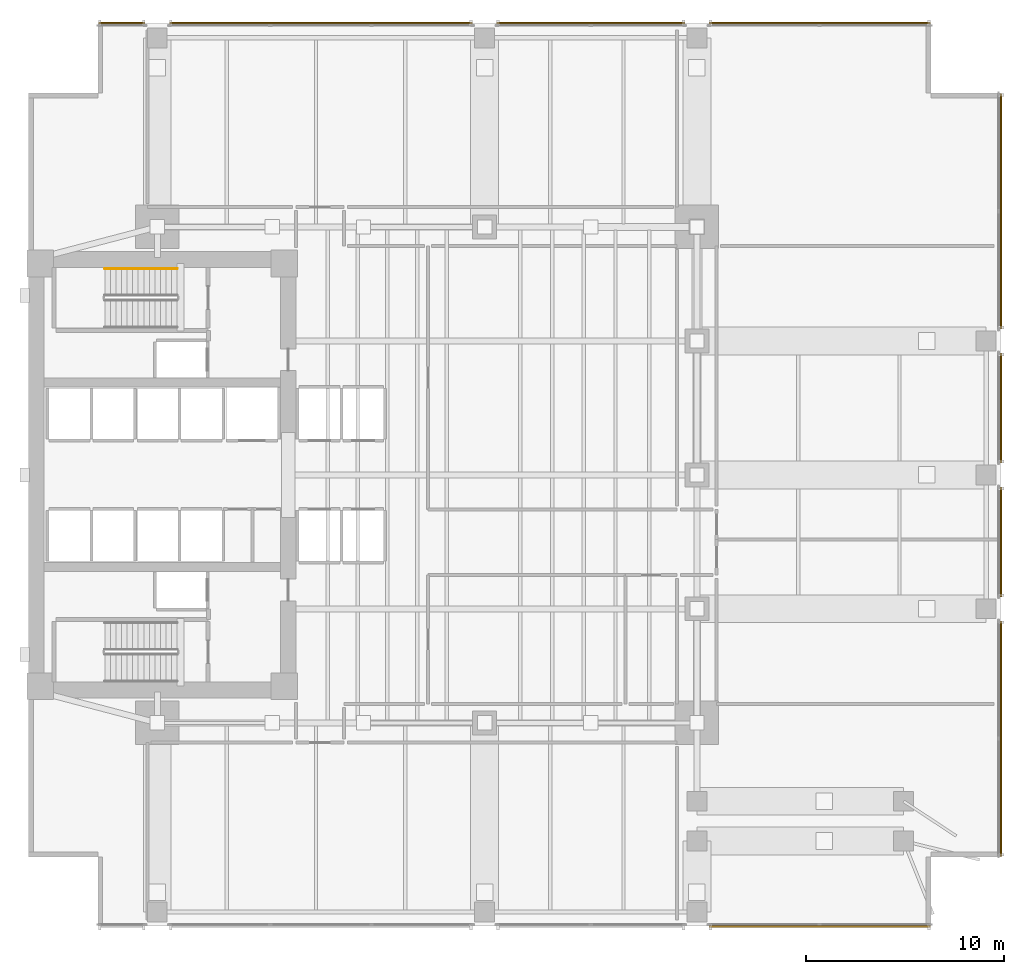
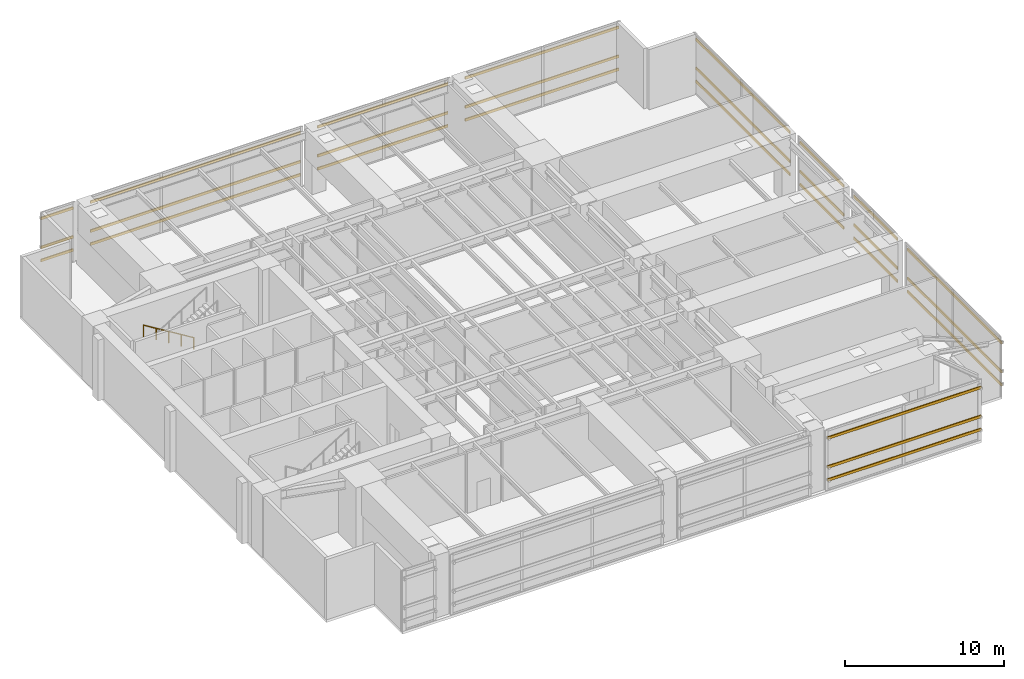
# One storey, part 14 of 14: 27 shading devices, 1 railing.
"""IFC4 building model written with IfcOpenShell, lengths in metres."""

from ifc_helpers import new_model, si_unit, direction, frame, origin, origin_2d, place, context, subcontext, project, spatial, rectangle, circle, extrude, material, material_profile, profile_set, type_object, element, save


model = new_model("IFC4")

# Units and contexts
model_context = context("Model", 3, precision=1e-05, world=origin(), true_north=direction((0.0, 1.0)))
body_context = subcontext(model_context, "Body", "Model", "MODEL_VIEW")
ifc_project = project(units=[si_unit("LENGTHUNIT", "METRE"), si_unit("AREAUNIT", "SQUARE_METRE"), si_unit("VOLUMEUNIT", "CUBIC_METRE"), si_unit("PLANEANGLEUNIT", "RADIAN"), si_unit("MASSUNIT", "GRAM", prefix="KILO")], contexts=[model_context])

# Site, building, storey
site_placement = place(None, origin())
site = spatial("IfcSite", under=ifc_project, at=site_placement, CompositionType="ELEMENT")
building_placement = place(site_placement, origin())
building = spatial("IfcBuilding", under=site, at=building_placement, Name="Kinhvarn Gate Tower", CompositionType="ELEMENT")
storey_placement = place(building_placement, frame((0.0, 0.0, 93.050048828125)))
storey = spatial("IfcBuildingStorey", under=building, at=storey_placement, Name="L24", CompositionType="ELEMENT", Elevation=93.050048828125)

# Railing
ifc_material_1 = material(Name="Steel S355", Category="steel")
railing_type = type_object("IfcRailingType", Name="RL-ST-HND", PredefinedType="HANDRAIL", material=ifc_material_1)
railing_placement = place(storey_placement, frame((12.0, 35.64990234375, 0.17138671875)))
element("IfcRailing", 1, at=railing_placement, inside=storey, type_object=railing_type, Name="L24 ST2 stair handrail 1", PredefinedType="HANDRAIL", context=body_context, shape_type="SweptSolid", body=[
    extrude(circle(Radius=0.02392578125, at=origin_2d()), frame((0.0, 0.0, 0.8759765625), z_axis=(-0.852850264322, 0.0, 0.5221555579), x_axis=(0.0, -1.0, 0.0)), (0.0, 0.0, 1.0), 4.267822265625),
    extrude(circle(Radius=0.02099609375, at=origin_2d()), origin(), (0.0, 0.0, 1.0), 0.851806640625),
    extrude(circle(Radius=0.02099609375, at=origin_2d()), frame((-0.909912109375, 0.0, 0.55712890625)), (0.0, 0.0, 1.0), 0.851806640625),
    extrude(circle(Radius=0.02099609375, at=origin_2d()), frame((-1.81982421875, 0.0, 1.1142578125)), (0.0, 0.0, 1.0), 0.851806640625),
    extrude(circle(Radius=0.02099609375, at=origin_2d()), frame((-2.72998046875, 0.0, 1.67138671875)), (0.0, 0.0, 1.0), 0.851806640625),
    extrude(circle(Radius=0.02099609375, at=origin_2d()), frame((-3.639892578125, 0.0, 2.228515625)), (0.0, 0.0, 1.0), 0.851806640625),
])

# Shading devices
ifc_material_2 = material(Name="Anodised aluminium AW-6063", Category="aluminium")
ifc_material_profile = material_profile(ifc_material_2, rectangle(XDim=0.074951171875, YDim=0.199951171875, at=origin_2d()), Name="LOUVRE 75x200")
ifc_profile_set = profile_set([ifc_material_profile], Name="Anodised aluminium AW-6063")
shading_device_type = type_object("IfcShadingDeviceType", Name="SHD-LVR-200", PredefinedType="JALOUSIE", material=ifc_profile_set)
for number, where, z_axis, x_axis, name in (
    (2, (38.820068359375, 2.4775390625, 0.849853515625), (1.0, 0.0, 0.0), (0.0, 1.0, 0.0), "Anodised Aluminium Acoustic Plant Louvre Blade 75x200 mm (L24)"),
    (3, (38.820068359375, 2.4775390625, 1.849853515625), (1.0, 0.0, 0.0), (0.0, 1.0, 0.0), "Anodised Aluminium Acoustic Plant Louvre Blade 75x200 mm (L24)"),
    (4, (38.820068359375, 2.4775390625, 4.070068359375), (1.0, 0.0, 0.0), (0.0, 1.0, 0.0), "Anodised Aluminium Acoustic Plant Louvre Blade 75x200 mm (L24)"),
    (5, (49.9599609375, 48.0224609375, 0.849853515625), (-1.0, 0.0, 0.0), (0.0, -1.0, 0.0), "Anodised Aluminium Acoustic Plant Louvre Blade 75x200 mm (L24)"),
    (6, (49.9599609375, 48.0224609375, 1.849853515625), (-1.0, 0.0, 0.0), (0.0, -1.0, 0.0), "Anodised Aluminium Acoustic Plant Louvre Blade 75x200 mm (L24)"),
    (7, (49.9599609375, 48.0224609375, 4.070068359375), (-1.0, 0.0, 0.0), (0.0, -1.0, 0.0), "Anodised Aluminium Acoustic Plant Louvre Blade 75x200 mm (L24)"),
):
    element("IfcShadingDevice", number, at=place(storey_placement, frame(where, z_axis=z_axis, x_axis=x_axis)), inside=storey, type_object=shading_device_type, Name=name, PredefinedType="JALOUSIE", context=body_context, shape_type="SweptSolid", body=[
        extrude(rectangle(XDim=0.074951171875, YDim=0.199951171875, at=origin_2d()), origin(), (0.0, 0.0, 1.0), 11.139892578125),
    ])
for number, where, z_axis, x_axis, name in (
    (8, (37.580078125, 48.0224609375, 0.849853515625), (-1.0, 0.0, 0.0), (0.0, -1.0, 0.0), "Anodised Aluminium Acoustic Plant Louvre Blade 75x200 mm (L24)"),
    (9, (37.580078125, 48.0224609375, 1.849853515625), (-1.0, 0.0, 0.0), (0.0, -1.0, 0.0), "Anodised Aluminium Acoustic Plant Louvre Blade 75x200 mm (L24)"),
    (10, (37.580078125, 48.0224609375, 4.070068359375), (-1.0, 0.0, 0.0), (0.0, -1.0, 0.0), "Anodised Aluminium Acoustic Plant Louvre Blade 75x200 mm (L24)"),
):
    element("IfcShadingDevice", number, at=place(storey_placement, frame(where, z_axis=z_axis, x_axis=x_axis)), inside=storey, type_object=shading_device_type, Name=name, PredefinedType="JALOUSIE", context=body_context, shape_type="SweptSolid", body=[
        extrude(rectangle(XDim=0.074951171875, YDim=0.199951171875, at=origin_2d()), origin(), (0.0, 0.0, 1.0), 9.4599609375),
    ])
for number, where, z_axis, x_axis, name in (
    (11, (26.8798828125, 48.0224609375, 0.849853515625), (-1.0, 0.0, 0.0), (0.0, -1.0, 0.0), "Anodised Aluminium Acoustic Plant Louvre Blade 75x200 mm (L24)"),
    (12, (26.8798828125, 48.0224609375, 1.849853515625), (-1.0, 0.0, 0.0), (0.0, -1.0, 0.0), "Anodised Aluminium Acoustic Plant Louvre Blade 75x200 mm (L24)"),
    (13, (26.8798828125, 48.0224609375, 4.070068359375), (-1.0, 0.0, 0.0), (0.0, -1.0, 0.0), "Anodised Aluminium Acoustic Plant Louvre Blade 75x200 mm (L24)"),
):
    element("IfcShadingDevice", number, at=place(storey_placement, frame(where, z_axis=z_axis, x_axis=x_axis)), inside=storey, type_object=shading_device_type, Name=name, PredefinedType="JALOUSIE", context=body_context, shape_type="SweptSolid", body=[
        extrude(rectangle(XDim=0.074951171875, YDim=0.199951171875, at=origin_2d()), origin(), (0.0, 0.0, 1.0), 15.259765625),
    ])
for number, where, z_axis, x_axis, name in (
    (14, (10.3798828125, 48.0224609375, 0.849853515625), (-1.0, 0.0, 0.0), (0.0, -1.0, 0.0), "Anodised Aluminium Acoustic Plant Louvre Blade 75x200 mm (L24)"),
    (15, (10.3798828125, 48.0224609375, 1.849853515625), (-1.0, 0.0, 0.0), (0.0, -1.0, 0.0), "Anodised Aluminium Acoustic Plant Louvre Blade 75x200 mm (L24)"),
    (16, (10.3798828125, 48.0224609375, 4.070068359375), (-1.0, 0.0, 0.0), (0.0, -1.0, 0.0), "Anodised Aluminium Acoustic Plant Louvre Blade 75x200 mm (L24)"),
):
    element("IfcShadingDevice", number, at=place(storey_placement, frame(where, z_axis=z_axis, x_axis=x_axis)), inside=storey, type_object=shading_device_type, Name=name, PredefinedType="JALOUSIE", context=body_context, shape_type="SweptSolid", body=[
        extrude(rectangle(XDim=0.074951171875, YDim=0.199951171875, at=origin_2d()), origin(), (0.0, 0.0, 1.0), 2.33984375),
    ])
for number, where, z_axis, x_axis, name in (
    (17, (53.5224609375, 6.0400390625, 0.849853515625), (0.0, 1.0, 0.0), (-1.0, 0.0, 0.0), "Anodised Aluminium Acoustic Plant Louvre Blade 75x200 mm (L24)"),
    (18, (53.5224609375, 6.0400390625, 1.849853515625), (0.0, 1.0, 0.0), (-1.0, 0.0, 0.0), "Anodised Aluminium Acoustic Plant Louvre Blade 75x200 mm (L24)"),
    (19, (53.5224609375, 6.0400390625, 4.070068359375), (0.0, 1.0, 0.0), (-1.0, 0.0, 0.0), "Anodised Aluminium Acoustic Plant Louvre Blade 75x200 mm (L24)"),
):
    element("IfcShadingDevice", number, at=place(storey_placement, frame(where, z_axis=z_axis, x_axis=x_axis)), inside=storey, type_object=shading_device_type, Name=name, PredefinedType="JALOUSIE", context=body_context, shape_type="SweptSolid", body=[
        extrude(rectangle(XDim=0.074951171875, YDim=0.199951171875, at=origin_2d()), origin(), (0.0, 0.0, 1.0), 11.83984375),
    ])
for number, where, z_axis, x_axis, name in (
    (20, (53.5224609375, 19.1201171875, 0.849853515625), (0.0, 1.0, 0.0), (-1.0, 0.0, 0.0), "Anodised Aluminium Acoustic Plant Louvre Blade 75x200 mm (L24)"),
    (21, (53.5224609375, 19.1201171875, 1.849853515625), (0.0, 1.0, 0.0), (-1.0, 0.0, 0.0), "Anodised Aluminium Acoustic Plant Louvre Blade 75x200 mm (L24)"),
    (22, (53.5224609375, 19.1201171875, 4.070068359375), (0.0, 1.0, 0.0), (-1.0, 0.0, 0.0), "Anodised Aluminium Acoustic Plant Louvre Blade 75x200 mm (L24)"),
    (23, (53.5224609375, 25.8701171875, 0.849853515625), (0.0, 1.0, 0.0), (-1.0, 0.0, 0.0), "Anodised Aluminium Acoustic Plant Louvre Blade 75x200 mm (L24)"),
    (24, (53.5224609375, 25.8701171875, 1.849853515625), (0.0, 1.0, 0.0), (-1.0, 0.0, 0.0), "Anodised Aluminium Acoustic Plant Louvre Blade 75x200 mm (L24)"),
    (25, (53.5224609375, 25.8701171875, 4.070068359375), (0.0, 1.0, 0.0), (-1.0, 0.0, 0.0), "Anodised Aluminium Acoustic Plant Louvre Blade 75x200 mm (L24)"),
):
    element("IfcShadingDevice", number, at=place(storey_placement, frame(where, z_axis=z_axis, x_axis=x_axis)), inside=storey, type_object=shading_device_type, Name=name, PredefinedType="JALOUSIE", context=body_context, shape_type="SweptSolid", body=[
        extrude(rectangle(XDim=0.074951171875, YDim=0.199951171875, at=origin_2d()), origin(), (0.0, 0.0, 1.0), 5.509765625),
    ])
for number, where, z_axis, x_axis, name in (
    (26, (53.5224609375, 32.6201171875, 0.849853515625), (0.0, 1.0, 0.0), (-1.0, 0.0, 0.0), "Anodised Aluminium Acoustic Plant Louvre Blade 75x200 mm (L24)"),
    (27, (53.5224609375, 32.6201171875, 1.849853515625), (0.0, 1.0, 0.0), (-1.0, 0.0, 0.0), "Anodised Aluminium Acoustic Plant Louvre Blade 75x200 mm (L24)"),
    (28, (53.5224609375, 32.6201171875, 4.070068359375), (0.0, 1.0, 0.0), (-1.0, 0.0, 0.0), "Anodised Aluminium Acoustic Plant Louvre Blade 75x200 mm (L24)"),
):
    element("IfcShadingDevice", number, at=place(storey_placement, frame(where, z_axis=z_axis, x_axis=x_axis)), inside=storey, type_object=shading_device_type, Name=name, PredefinedType="JALOUSIE", context=body_context, shape_type="SweptSolid", body=[
        extrude(rectangle(XDim=0.074951171875, YDim=0.199951171875, at=origin_2d()), origin(), (0.0, 0.0, 1.0), 11.83984375),
    ])

save(model, "model.ifc")
